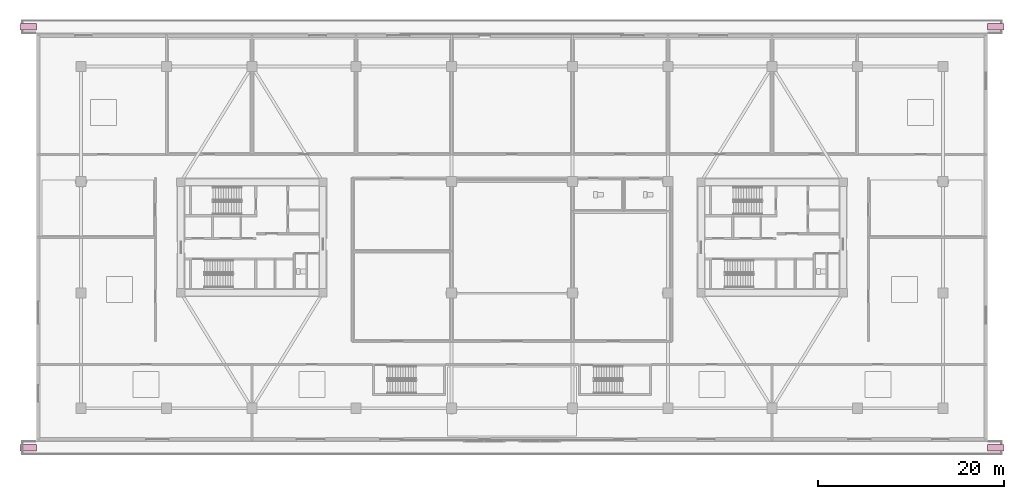
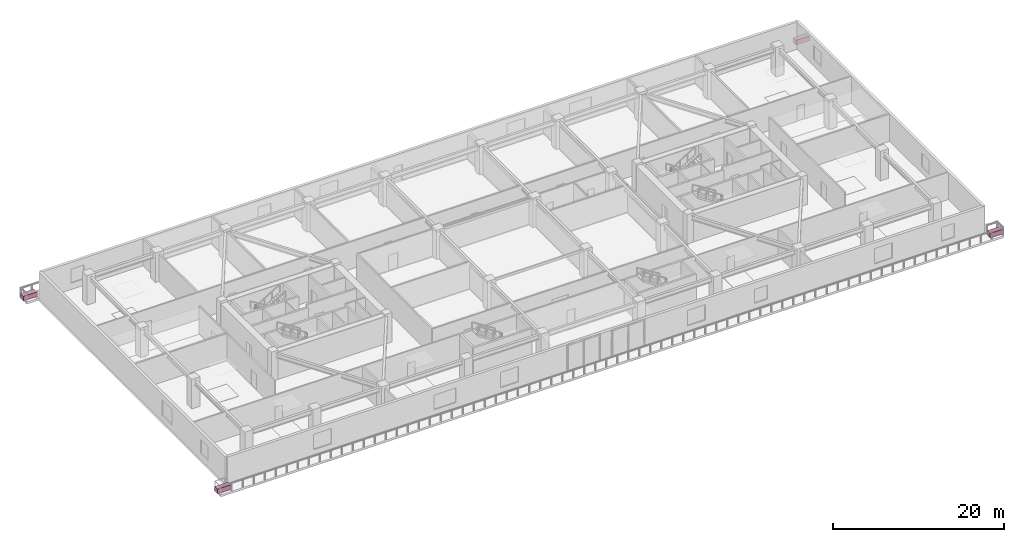
# One storey, part 23 of 23: 4 furnishings.
"""IFC4 building model written with IfcOpenShell, lengths in metres."""

from ifc_helpers import new_model, si_unit, direction, frame, origin, origin_2d, place, context, subcontext, project, spatial, rectangle, extrude, source, transform, mapped, material, type_object, type_shapes, element, save


model = new_model("IFC4")

# Units and contexts
model_context = context("Model", 3, precision=1e-05, world=origin(), true_north=direction((0.0, 1.0)))
body_context = subcontext(model_context, "Body", "Model", "MODEL_VIEW")
ifc_project = project(units=[si_unit("LENGTHUNIT", "METRE"), si_unit("AREAUNIT", "SQUARE_METRE"), si_unit("VOLUMEUNIT", "CUBIC_METRE"), si_unit("PLANEANGLEUNIT", "RADIAN"), si_unit("MASSUNIT", "GRAM", prefix="KILO")], contexts=[model_context])

# Site, building, storey
site_placement = place(None, origin())
site = spatial("IfcSite", under=ifc_project, at=site_placement, CompositionType="ELEMENT")
building_placement = place(site_placement, origin())
building = spatial("IfcBuilding", under=site, at=building_placement, Name="Norrkilde Senior Care Towers", CompositionType="ELEMENT")
storey_placement = place(building_placement, frame((0.0, 0.0, 8.39990234375)))
storey = spatial("IfcBuildingStorey", under=building, at=storey_placement, Name="L02", CompositionType="ELEMENT", Elevation=8.39990234375)

# Furnishings
ifc_material = material(Name="Architectural Terracotta", Category="masonry")
furnishing_element_type = type_object("IfcFurnishingElementType", Name="Nordic Terrace Planter Bed PLANTER", material=ifc_material)
shared_shape = source(origin(), body_context, "Body", "SweptSolid", [
    extrude(rectangle(XDim=1.800048828125, YDim=0.699951171875, at=origin_2d()), origin(), (0.0, 0.0, 1.0), 0.64990234375),
])
type_shapes(furnishing_element_type, [shared_shape])
for number, where, z_axis, x_axis, name in (
    (1, (52.0693359375, 22.65771484375, 0.000244140625), (0.0, 0.0, 1.0), (1.0, 0.0, 0.0), "L02 Nordic Planted Terrace Bed 05"),
    (2, (52.0693359375, -22.65771484375, 0.000244140625), (0.0, 0.0, 1.0), (1.0, 0.0, 0.0), "L02 Nordic Planted Terrace Bed 06"),
    (3, (-52.0693359375, -22.65771484375, 0.000244140625), (0.0, 0.0, 1.0), (1.0, 0.0, 0.0), "L02 Nordic Planted Terrace Bed 07"),
    (4, (-52.0693359375, 22.65771484375, 0.000244140625), (0.0, 0.0, 1.0), (1.0, 0.0, 0.0), "L02 Nordic Planted Terrace Bed 08"),
):
    element("IfcFurnishingElement", number, at=place(storey_placement, frame(where, z_axis=z_axis, x_axis=x_axis)), inside=storey, type_object=furnishing_element_type, Name=name, context=body_context, shape_type="MappedRepresentation", body=[
        mapped(shared_shape, transform((0.0, 0.0, 0.0), x_axis=(1.0, 0.0, 0.0), y_axis=(0.0, 1.0, 0.0), z_axis=(0.0, 0.0, 1.0), scale=1.0)),
    ])

save(model, "model.ifc")
